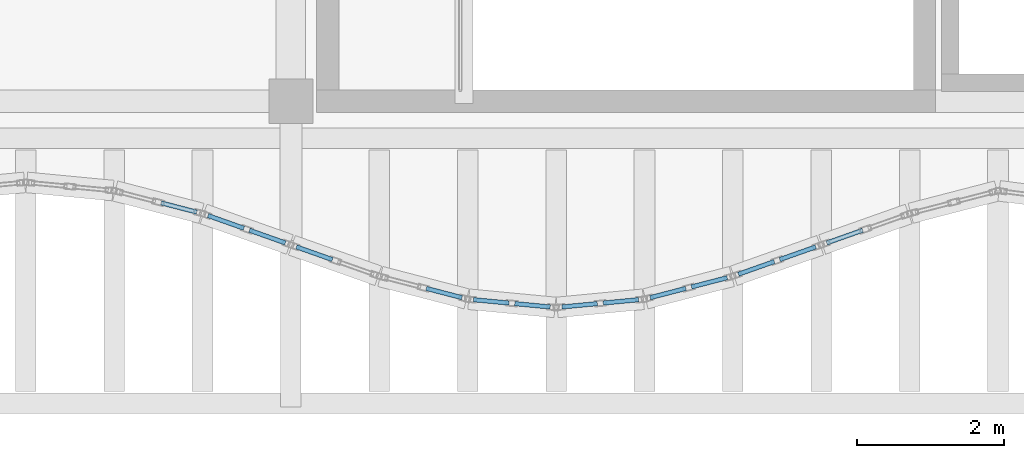
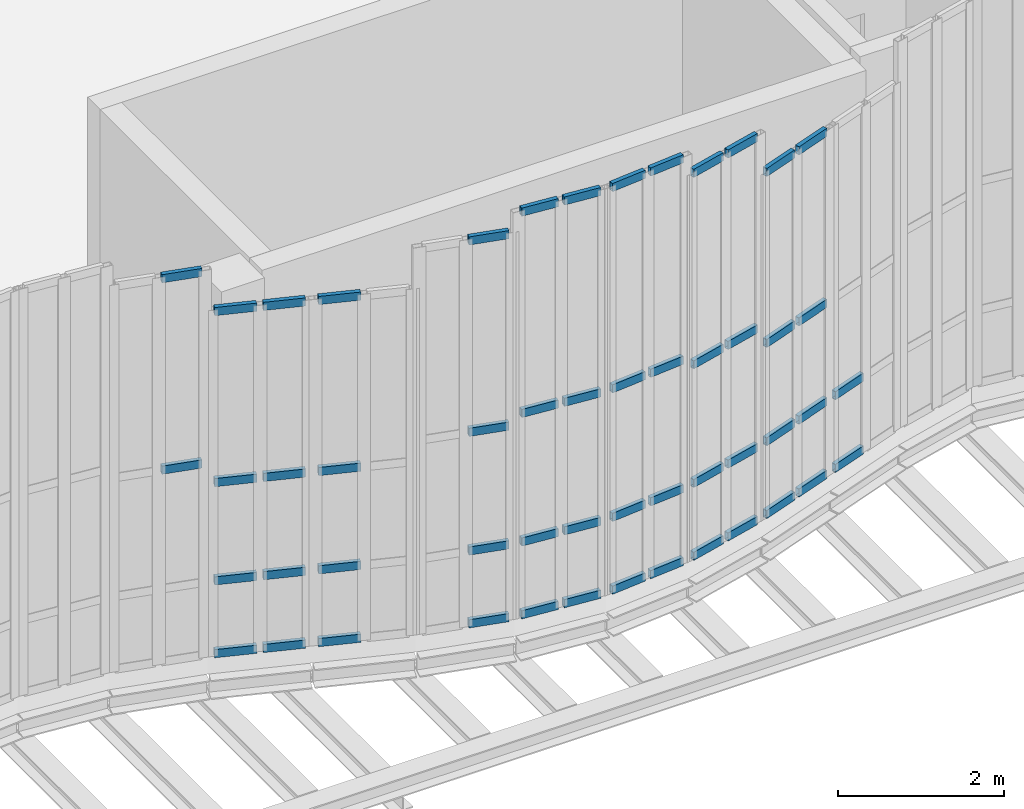
# One storey, part 36 of 76: 52 members, 9 elements without a shape of their own.
"""IFC4 building model written with IfcOpenShell, lengths in metres."""

from ifc_helpers import new_model, si_unit, direction, frame, origin, origin_2d, place, context, subcontext, project, spatial, hollow_rectangle, extrude, material, layer, layer_set, material_profile, profile_set, type_object, element, aggregate, save


model = new_model("IFC4")

# Units and contexts
model_context = context("Model", 3, precision=1e-05, world=origin(), true_north=direction((0.0, 1.0)))
body_context = subcontext(model_context, "Body", "Model", "MODEL_VIEW")
ifc_project = project(units=[si_unit("LENGTHUNIT", "METRE"), si_unit("AREAUNIT", "SQUARE_METRE"), si_unit("VOLUMEUNIT", "CUBIC_METRE"), si_unit("PLANEANGLEUNIT", "RADIAN"), si_unit("MASSUNIT", "GRAM", prefix="KILO"), si_unit("THERMODYNAMICTEMPERATUREUNIT", "KELVIN"), si_unit("POWERUNIT", "WATT")], contexts=[model_context])

# Site, building, storey
site_placement = place(None, origin())
site = spatial("IfcSite", under=ifc_project, at=site_placement, CompositionType="ELEMENT")
building_placement = place(site_placement, origin())
building = spatial("IfcBuilding", under=site, at=building_placement, Name="Kaldorven Railside Theatre", CompositionType="ELEMENT")
storey_placement = place(building_placement, frame((0.0, 0.0, 14.39990234375)))
storey = spatial("IfcBuildingStorey", under=building, at=storey_placement, Name="L03", CompositionType="ELEMENT", Elevation=14.39990234375)

# Curtain wall, members
ifc_material_1 = material(Name="Low-E laminated solar-control glass", Category="glass")
ifc_layer_1 = layer(ifc_material_1, 0.159912109375, Name="Low-E laminated solar-control glass")
ifc_layer_set_1 = layer_set([ifc_layer_1], Name="Low-E laminated solar-control glass")
curtain_wall_type_1 = type_object("IfcCurtainWallType", Name="CWT-09", PredefinedType="USERDEFINED", material=ifc_layer_set_1)
curtain_wall_1_placement = place(storey_placement, origin())
curtain_wall_1 = element("IfcCurtainWall", 1, at=curtain_wall_1_placement, inside=storey, type_object=curtain_wall_type_1, Name="Sinusoidal Fluted Curtain Wall CW-L03-S17", ObjectType="FLUTED GLAZING", PredefinedType="USERDEFINED")
ifc_material_2 = material(Name="Anodised bronze aluminium", Category="aluminium")
ifc_material_profile = material_profile(ifc_material_2, hollow_rectangle(XDim=0.06005859375, YDim=0.1201171875, WallThickness=0.0048828125, at=origin_2d()), Name="RHS 120x60x5")
ifc_profile_set = profile_set([ifc_material_profile], Name="Anodised bronze aluminium")
member_type = type_object("IfcMemberType", Name="CWT-120", PredefinedType="USERDEFINED", material=ifc_profile_set)
member_1_placement = place(storey_placement, frame((56.638671875, 17.820556640625, 2.84521484375), z_axis=(0.967979318949, -0.251029954561, 0.0), x_axis=(0.251029954561, 0.967979318949, 0.0)))
member_1 = element("IfcMember", 2, at=member_1_placement, type_object=member_type, Name="CW-L03-S17 transom 2.3", ObjectType="TRANSOM", PredefinedType="USERDEFINED", context=body_context, shape_type="SweptSolid", body=[
    extrude(hollow_rectangle(XDim=0.06005859375, YDim=0.1201171875, WallThickness=0.0048828125, at=origin_2d()), origin(), (0.0, 0.0, 1.0), 0.5),
])
member_2_placement = place(storey_placement, frame((56.638671875, 17.820556640625, 5.66015625), z_axis=(0.967979318949, -0.251029954561, 0.0), x_axis=(0.251029954561, 0.967979318949, 0.0)))
member_2 = element("IfcMember", 3, at=member_2_placement, type_object=member_type, Name="CW-L03-S17 transom 2.4", ObjectType="TRANSOM", PredefinedType="USERDEFINED", context=body_context, shape_type="SweptSolid", body=[
    extrude(hollow_rectangle(XDim=0.06005859375, YDim=0.1201171875, WallThickness=0.0048828125, at=origin_2d()), origin(), (0.0, 0.0, 1.0), 0.5),
])
aggregate(curtain_wall_1, [member_1, member_2])

ifc_layer_2 = layer(ifc_material_1, 0.159912109375, Name="Low-E laminated solar-control glass")
ifc_layer_set_2 = layer_set([ifc_layer_2], Name="Low-E laminated solar-control glass")
curtain_wall_type_2 = type_object("IfcCurtainWallType", Name="CWT-08", PredefinedType="USERDEFINED", material=ifc_layer_set_2)
curtain_wall_2_placement = place(storey_placement, origin())
curtain_wall_2 = element("IfcCurtainWall", 4, at=curtain_wall_2_placement, inside=storey, type_object=curtain_wall_type_2, Name="Sinusoidal Fluted Curtain Wall CW-L03-S18", ObjectType="FLUTED GLAZING", PredefinedType="USERDEFINED")
member_3_placement = place(storey_placement, frame((57.275390625, 17.648193359375, 0.030029296875), z_axis=(0.942658214948, -0.333759628763, 0.0), x_axis=(0.333759628763, 0.942658214948, 0.0)))
member_3 = element("IfcMember", 5, at=member_3_placement, type_object=member_type, Name="CW-L03-S18 transom 1.1", ObjectType="TRANSOM", PredefinedType="USERDEFINED", context=body_context, shape_type="SweptSolid", body=[
    extrude(hollow_rectangle(XDim=0.06005859375, YDim=0.1201171875, WallThickness=0.0048828125, at=origin_2d()), origin(), (0.0, 0.0, 1.0), 0.516357421875),
])
member_4_placement = place(storey_placement, frame((57.275390625, 17.648193359375, 1.10009765625), z_axis=(0.942658214948, -0.333759628763, 0.0), x_axis=(0.333759628763, 0.942658214948, 0.0)))
member_4 = element("IfcMember", 6, at=member_4_placement, type_object=member_type, Name="CW-L03-S18 transom 1.2", ObjectType="TRANSOM", PredefinedType="USERDEFINED", context=body_context, shape_type="SweptSolid", body=[
    extrude(hollow_rectangle(XDim=0.06005859375, YDim=0.1201171875, WallThickness=0.0048828125, at=origin_2d()), origin(), (0.0, 0.0, 1.0), 0.516357421875),
])
member_5_placement = place(storey_placement, frame((57.275390625, 17.648193359375, 2.545166015625), z_axis=(0.942658214948, -0.333759628763, 0.0), x_axis=(0.333759628763, 0.942658214948, 0.0)))
member_5 = element("IfcMember", 7, at=member_5_placement, type_object=member_type, Name="CW-L03-S18 transom 1.3", ObjectType="TRANSOM", PredefinedType="USERDEFINED", context=body_context, shape_type="SweptSolid", body=[
    extrude(hollow_rectangle(XDim=0.06005859375, YDim=0.1201171875, WallThickness=0.0048828125, at=origin_2d()), origin(), (0.0, 0.0, 1.0), 0.516357421875),
])
member_6_placement = place(storey_placement, frame((57.275390625, 17.648193359375, 5.06005859375), z_axis=(0.942658214948, -0.333759628763, 0.0), x_axis=(0.333759628763, 0.942658214948, 0.0)))
member_6 = element("IfcMember", 8, at=member_6_placement, type_object=member_type, Name="CW-L03-S18 transom 1.4", ObjectType="TRANSOM", PredefinedType="USERDEFINED", context=body_context, shape_type="SweptSolid", body=[
    extrude(hollow_rectangle(XDim=0.06005859375, YDim=0.1201171875, WallThickness=0.0048828125, at=origin_2d()), origin(), (0.0, 0.0, 1.0), 0.516357421875),
])
member_7_placement = place(storey_placement, frame((57.837646484375, 17.44921875, 0.030029296875), z_axis=(0.94256215944, -0.334030800363, 0.0), x_axis=(0.334030800363, 0.94256215944, 0.0)))
member_7 = element("IfcMember", 9, at=member_7_placement, type_object=member_type, Name="CW-L03-S18 transom 2.1", ObjectType="TRANSOM", PredefinedType="USERDEFINED", context=body_context, shape_type="SweptSolid", body=[
    extrude(hollow_rectangle(XDim=0.06005859375, YDim=0.1201171875, WallThickness=0.0048828125, at=origin_2d()), origin(), (0.0, 0.0, 1.0), 0.516845703125),
])
member_8_placement = place(storey_placement, frame((57.837646484375, 17.44921875, 1.10009765625), z_axis=(0.94256215944, -0.334030800363, 0.0), x_axis=(0.334030800363, 0.94256215944, 0.0)))
member_8 = element("IfcMember", 10, at=member_8_placement, type_object=member_type, Name="CW-L03-S18 transom 2.2", ObjectType="TRANSOM", PredefinedType="USERDEFINED", context=body_context, shape_type="SweptSolid", body=[
    extrude(hollow_rectangle(XDim=0.06005859375, YDim=0.1201171875, WallThickness=0.0048828125, at=origin_2d()), origin(), (0.0, 0.0, 1.0), 0.516845703125),
])
member_9_placement = place(storey_placement, frame((57.837646484375, 17.44921875, 2.545166015625), z_axis=(0.94256215944, -0.334030800363, 0.0), x_axis=(0.334030800363, 0.94256215944, 0.0)))
member_9 = element("IfcMember", 11, at=member_9_placement, type_object=member_type, Name="CW-L03-S18 transom 2.3", ObjectType="TRANSOM", PredefinedType="USERDEFINED", context=body_context, shape_type="SweptSolid", body=[
    extrude(hollow_rectangle(XDim=0.06005859375, YDim=0.1201171875, WallThickness=0.0048828125, at=origin_2d()), origin(), (0.0, 0.0, 1.0), 0.516845703125),
])
member_10_placement = place(storey_placement, frame((57.837646484375, 17.44921875, 5.06005859375), z_axis=(0.94256215944, -0.334030800363, 0.0), x_axis=(0.334030800363, 0.94256215944, 0.0)))
member_10 = element("IfcMember", 12, at=member_10_placement, type_object=member_type, Name="CW-L03-S18 transom 2.4", ObjectType="TRANSOM", PredefinedType="USERDEFINED", context=body_context, shape_type="SweptSolid", body=[
    extrude(hollow_rectangle(XDim=0.06005859375, YDim=0.1201171875, WallThickness=0.0048828125, at=origin_2d()), origin(), (0.0, 0.0, 1.0), 0.516845703125),
])
aggregate(curtain_wall_2, [member_3, member_4, member_5, member_6, member_7, member_8, member_9, member_10])

curtain_wall_3_placement = place(storey_placement, origin())
curtain_wall_3 = element("IfcCurtainWall", 13, at=curtain_wall_3_placement, inside=storey, type_object=curtain_wall_type_2, Name="Sinusoidal Fluted Curtain Wall CW-L03-S19", ObjectType="FLUTED GLAZING", PredefinedType="USERDEFINED")
member_11_placement = place(storey_placement, frame((58.475341796875, 17.223388671875, 0.030029296875), z_axis=(0.94256215944, -0.334030800363, 0.0), x_axis=(0.334030800363, 0.94256215944, 0.0)))
member_11 = element("IfcMember", 14, at=member_11_placement, type_object=member_type, Name="CW-L03-S19 transom 1.1", ObjectType="TRANSOM", PredefinedType="USERDEFINED", context=body_context, shape_type="SweptSolid", body=[
    extrude(hollow_rectangle(XDim=0.06005859375, YDim=0.1201171875, WallThickness=0.0048828125, at=origin_2d()), origin(), (0.0, 0.0, 1.0), 0.516845703125),
])
member_12_placement = place(storey_placement, frame((58.475341796875, 17.223388671875, 1.10009765625), z_axis=(0.94256215944, -0.334030800363, 0.0), x_axis=(0.334030800363, 0.94256215944, 0.0)))
member_12 = element("IfcMember", 15, at=member_12_placement, type_object=member_type, Name="CW-L03-S19 transom 1.2", ObjectType="TRANSOM", PredefinedType="USERDEFINED", context=body_context, shape_type="SweptSolid", body=[
    extrude(hollow_rectangle(XDim=0.06005859375, YDim=0.1201171875, WallThickness=0.0048828125, at=origin_2d()), origin(), (0.0, 0.0, 1.0), 0.516845703125),
])
member_13_placement = place(storey_placement, frame((58.475341796875, 17.223388671875, 2.545166015625), z_axis=(0.94256215944, -0.334030800363, 0.0), x_axis=(0.334030800363, 0.94256215944, 0.0)))
member_13 = element("IfcMember", 16, at=member_13_placement, type_object=member_type, Name="CW-L03-S19 transom 1.3", ObjectType="TRANSOM", PredefinedType="USERDEFINED", context=body_context, shape_type="SweptSolid", body=[
    extrude(hollow_rectangle(XDim=0.06005859375, YDim=0.1201171875, WallThickness=0.0048828125, at=origin_2d()), origin(), (0.0, 0.0, 1.0), 0.516845703125),
])
member_14_placement = place(storey_placement, frame((58.475341796875, 17.223388671875, 5.06005859375), z_axis=(0.94256215944, -0.334030800363, 0.0), x_axis=(0.334030800363, 0.94256215944, 0.0)))
member_14 = element("IfcMember", 17, at=member_14_placement, type_object=member_type, Name="CW-L03-S19 transom 1.4", ObjectType="TRANSOM", PredefinedType="USERDEFINED", context=body_context, shape_type="SweptSolid", body=[
    extrude(hollow_rectangle(XDim=0.06005859375, YDim=0.1201171875, WallThickness=0.0048828125, at=origin_2d()), origin(), (0.0, 0.0, 1.0), 0.516845703125),
])
aggregate(curtain_wall_3, [member_11, member_12, member_13, member_14])

curtain_wall_4_placement = place(storey_placement, origin())
curtain_wall_4 = element("IfcCurtainWall", 18, at=curtain_wall_4_placement, inside=storey, type_object=curtain_wall_type_1, Name="Sinusoidal Fluted Curtain Wall CW-L03-S20", ObjectType="FLUTED GLAZING", PredefinedType="USERDEFINED")
member_15_placement = place(storey_placement, frame((60.23876953125, 16.659423828125, 0.030029296875), z_axis=(0.967979318949, -0.251029954561, 0.0), x_axis=(0.251029954561, 0.967979318949, 0.0)))
member_15 = element("IfcMember", 19, at=member_15_placement, type_object=member_type, Name="CW-L03-S20 transom 2.1", ObjectType="TRANSOM", PredefinedType="USERDEFINED", context=body_context, shape_type="SweptSolid", body=[
    extrude(hollow_rectangle(XDim=0.06005859375, YDim=0.1201171875, WallThickness=0.0048828125, at=origin_2d()), origin(), (0.0, 0.0, 1.0), 0.5),
])
member_16_placement = place(storey_placement, frame((60.23876953125, 16.659423828125, 1.10009765625), z_axis=(0.967979318949, -0.251029954561, 0.0), x_axis=(0.251029954561, 0.967979318949, 0.0)))
member_16 = element("IfcMember", 20, at=member_16_placement, type_object=member_type, Name="CW-L03-S20 transom 2.2", ObjectType="TRANSOM", PredefinedType="USERDEFINED", context=body_context, shape_type="SweptSolid", body=[
    extrude(hollow_rectangle(XDim=0.06005859375, YDim=0.1201171875, WallThickness=0.0048828125, at=origin_2d()), origin(), (0.0, 0.0, 1.0), 0.5),
])
member_17_placement = place(storey_placement, frame((60.23876953125, 16.659423828125, 2.84521484375), z_axis=(0.967979318949, -0.251029954561, 0.0), x_axis=(0.251029954561, 0.967979318949, 0.0)))
member_17 = element("IfcMember", 21, at=member_17_placement, type_object=member_type, Name="CW-L03-S20 transom 2.3", ObjectType="TRANSOM", PredefinedType="USERDEFINED", context=body_context, shape_type="SweptSolid", body=[
    extrude(hollow_rectangle(XDim=0.06005859375, YDim=0.1201171875, WallThickness=0.0048828125, at=origin_2d()), origin(), (0.0, 0.0, 1.0), 0.5),
])
member_18_placement = place(storey_placement, frame((60.23876953125, 16.659423828125, 5.66015625), z_axis=(0.967979318949, -0.251029954561, 0.0), x_axis=(0.251029954561, 0.967979318949, 0.0)))
member_18 = element("IfcMember", 22, at=member_18_placement, type_object=member_type, Name="CW-L03-S20 transom 2.4", ObjectType="TRANSOM", PredefinedType="USERDEFINED", context=body_context, shape_type="SweptSolid", body=[
    extrude(hollow_rectangle(XDim=0.06005859375, YDim=0.1201171875, WallThickness=0.0048828125, at=origin_2d()), origin(), (0.0, 0.0, 1.0), 0.5),
])
aggregate(curtain_wall_4, [member_15, member_16, member_17, member_18])

ifc_layer_3 = layer(ifc_material_1, 0.159912109375, Name="Low-E laminated solar-control glass")
ifc_layer_set_3 = layer_set([ifc_layer_3], Name="Low-E laminated solar-control glass")
curtain_wall_type_3 = type_object("IfcCurtainWallType", Name="CWT-10", PredefinedType="USERDEFINED", material=ifc_layer_set_3)
curtain_wall_5_placement = place(storey_placement, origin())
curtain_wall_5 = element("IfcCurtainWall", 23, at=curtain_wall_5_placement, inside=storey, type_object=curtain_wall_type_3, Name="Sinusoidal Fluted Curtain Wall CW-L03-S21", ObjectType="FLUTED GLAZING", PredefinedType="USERDEFINED")
member_19_placement = place(storey_placement, frame((60.879638671875, 16.50634765625, 0.030029296875), z_axis=(0.995515910823, -0.094594245591, 0.0), x_axis=(0.094594245591, 0.995515910823, 0.0)))
member_19 = element("IfcMember", 24, at=member_19_placement, type_object=member_type, Name="CW-L03-S21 transom 1.1", ObjectType="TRANSOM", PredefinedType="USERDEFINED", context=body_context, shape_type="SweptSolid", body=[
    extrude(hollow_rectangle(XDim=0.06005859375, YDim=0.1201171875, WallThickness=0.0048828125, at=origin_2d()), origin(), (0.0, 0.0, 1.0), 0.482666015625),
])
member_20_placement = place(storey_placement, frame((60.879638671875, 16.50634765625, 1.10009765625), z_axis=(0.995515910823, -0.094594245591, 0.0), x_axis=(0.094594245591, 0.995515910823, 0.0)))
member_20 = element("IfcMember", 25, at=member_20_placement, type_object=member_type, Name="CW-L03-S21 transom 1.2", ObjectType="TRANSOM", PredefinedType="USERDEFINED", context=body_context, shape_type="SweptSolid", body=[
    extrude(hollow_rectangle(XDim=0.06005859375, YDim=0.1201171875, WallThickness=0.0048828125, at=origin_2d()), origin(), (0.0, 0.0, 1.0), 0.482666015625),
])
member_21_placement = place(storey_placement, frame((60.879638671875, 16.50634765625, 2.989990234375), z_axis=(0.995515910823, -0.094594245591, 0.0), x_axis=(0.094594245591, 0.995515910823, 0.0)))
member_21 = element("IfcMember", 26, at=member_21_placement, type_object=member_type, Name="CW-L03-S21 transom 1.3", ObjectType="TRANSOM", PredefinedType="USERDEFINED", context=body_context, shape_type="SweptSolid", body=[
    extrude(hollow_rectangle(XDim=0.06005859375, YDim=0.1201171875, WallThickness=0.0048828125, at=origin_2d()), origin(), (0.0, 0.0, 1.0), 0.482666015625),
])
member_22_placement = place(storey_placement, frame((60.879638671875, 16.50634765625, 5.9501953125), z_axis=(0.995515910823, -0.094594245591, 0.0), x_axis=(0.094594245591, 0.995515910823, 0.0)))
member_22 = element("IfcMember", 27, at=member_22_placement, type_object=member_type, Name="CW-L03-S21 transom 1.4", ObjectType="TRANSOM", PredefinedType="USERDEFINED", context=body_context, shape_type="SweptSolid", body=[
    extrude(hollow_rectangle(XDim=0.06005859375, YDim=0.1201171875, WallThickness=0.0048828125, at=origin_2d()), origin(), (0.0, 0.0, 1.0), 0.482666015625),
])
member_23_placement = place(storey_placement, frame((61.43994140625, 16.453125, 0.030029296875), z_axis=(0.995515910823, -0.094594245591, 0.0), x_axis=(0.094594245591, 0.995515910823, 0.0)))
member_23 = element("IfcMember", 28, at=member_23_placement, type_object=member_type, Name="CW-L03-S21 transom 2.1", ObjectType="TRANSOM", PredefinedType="USERDEFINED", context=body_context, shape_type="SweptSolid", body=[
    extrude(hollow_rectangle(XDim=0.06005859375, YDim=0.1201171875, WallThickness=0.0048828125, at=origin_2d()), origin(), (0.0, 0.0, 1.0), 0.482666015625),
])
member_24_placement = place(storey_placement, frame((61.43994140625, 16.453125, 1.10009765625), z_axis=(0.995515910823, -0.094594245591, 0.0), x_axis=(0.094594245591, 0.995515910823, 0.0)))
member_24 = element("IfcMember", 29, at=member_24_placement, type_object=member_type, Name="CW-L03-S21 transom 2.2", ObjectType="TRANSOM", PredefinedType="USERDEFINED", context=body_context, shape_type="SweptSolid", body=[
    extrude(hollow_rectangle(XDim=0.06005859375, YDim=0.1201171875, WallThickness=0.0048828125, at=origin_2d()), origin(), (0.0, 0.0, 1.0), 0.482666015625),
])
member_25_placement = place(storey_placement, frame((61.43994140625, 16.453125, 2.989990234375), z_axis=(0.995515910823, -0.094594245591, 0.0), x_axis=(0.094594245591, 0.995515910823, 0.0)))
member_25 = element("IfcMember", 30, at=member_25_placement, type_object=member_type, Name="CW-L03-S21 transom 2.3", ObjectType="TRANSOM", PredefinedType="USERDEFINED", context=body_context, shape_type="SweptSolid", body=[
    extrude(hollow_rectangle(XDim=0.06005859375, YDim=0.1201171875, WallThickness=0.0048828125, at=origin_2d()), origin(), (0.0, 0.0, 1.0), 0.482666015625),
])
member_26_placement = place(storey_placement, frame((61.43994140625, 16.453125, 5.9501953125), z_axis=(0.995515910823, -0.094594245591, 0.0), x_axis=(0.094594245591, 0.995515910823, 0.0)))
member_26 = element("IfcMember", 31, at=member_26_placement, type_object=member_type, Name="CW-L03-S21 transom 2.4", ObjectType="TRANSOM", PredefinedType="USERDEFINED", context=body_context, shape_type="SweptSolid", body=[
    extrude(hollow_rectangle(XDim=0.06005859375, YDim=0.1201171875, WallThickness=0.0048828125, at=origin_2d()), origin(), (0.0, 0.0, 1.0), 0.482666015625),
])
aggregate(curtain_wall_5, [member_19, member_20, member_21, member_22, member_23, member_24, member_25, member_26])

curtain_wall_6_placement = place(storey_placement, origin())
curtain_wall_6 = element("IfcCurtainWall", 32, at=curtain_wall_6_placement, inside=storey, type_object=curtain_wall_type_3, Name="Sinusoidal Fluted Curtain Wall CW-L03-S22", ObjectType="FLUTED GLAZING", PredefinedType="USERDEFINED")
member_27_placement = place(storey_placement, frame((62.07958984375, 16.407470703125, 0.030029296875), z_axis=(0.995515910823, 0.094594245591, 0.0), x_axis=(-0.094594245591, 0.995515910823, 0.0)))
member_27 = element("IfcMember", 33, at=member_27_placement, type_object=member_type, Name="CW-L03-S22 transom 1.1", ObjectType="TRANSOM", PredefinedType="USERDEFINED", context=body_context, shape_type="SweptSolid", body=[
    extrude(hollow_rectangle(XDim=0.06005859375, YDim=0.1201171875, WallThickness=0.0048828125, at=origin_2d()), origin(), (0.0, 0.0, 1.0), 0.482666015625),
])
member_28_placement = place(storey_placement, frame((62.07958984375, 16.407470703125, 1.10009765625), z_axis=(0.995515910823, 0.094594245591, 0.0), x_axis=(-0.094594245591, 0.995515910823, 0.0)))
member_28 = element("IfcMember", 34, at=member_28_placement, type_object=member_type, Name="CW-L03-S22 transom 1.2", ObjectType="TRANSOM", PredefinedType="USERDEFINED", context=body_context, shape_type="SweptSolid", body=[
    extrude(hollow_rectangle(XDim=0.06005859375, YDim=0.1201171875, WallThickness=0.0048828125, at=origin_2d()), origin(), (0.0, 0.0, 1.0), 0.482666015625),
])
member_29_placement = place(storey_placement, frame((62.07958984375, 16.407470703125, 2.989990234375), z_axis=(0.995515910823, 0.094594245591, 0.0), x_axis=(-0.094594245591, 0.995515910823, 0.0)))
member_29 = element("IfcMember", 35, at=member_29_placement, type_object=member_type, Name="CW-L03-S22 transom 1.3", ObjectType="TRANSOM", PredefinedType="USERDEFINED", context=body_context, shape_type="SweptSolid", body=[
    extrude(hollow_rectangle(XDim=0.06005859375, YDim=0.1201171875, WallThickness=0.0048828125, at=origin_2d()), origin(), (0.0, 0.0, 1.0), 0.482666015625),
])
member_30_placement = place(storey_placement, frame((62.07958984375, 16.407470703125, 5.9501953125), z_axis=(0.995515910823, 0.094594245591, 0.0), x_axis=(-0.094594245591, 0.995515910823, 0.0)))
member_30 = element("IfcMember", 36, at=member_30_placement, type_object=member_type, Name="CW-L03-S22 transom 1.4", ObjectType="TRANSOM", PredefinedType="USERDEFINED", context=body_context, shape_type="SweptSolid", body=[
    extrude(hollow_rectangle(XDim=0.06005859375, YDim=0.1201171875, WallThickness=0.0048828125, at=origin_2d()), origin(), (0.0, 0.0, 1.0), 0.482666015625),
])
member_31_placement = place(storey_placement, frame((62.639892578125, 16.460693359375, 0.030029296875), z_axis=(0.995515910823, 0.094594245591, 0.0), x_axis=(-0.094594245591, 0.995515910823, 0.0)))
member_31 = element("IfcMember", 37, at=member_31_placement, type_object=member_type, Name="CW-L03-S22 transom 2.1", ObjectType="TRANSOM", PredefinedType="USERDEFINED", context=body_context, shape_type="SweptSolid", body=[
    extrude(hollow_rectangle(XDim=0.06005859375, YDim=0.1201171875, WallThickness=0.0048828125, at=origin_2d()), origin(), (0.0, 0.0, 1.0), 0.482666015625),
])
member_32_placement = place(storey_placement, frame((62.639892578125, 16.460693359375, 1.10009765625), z_axis=(0.995515910823, 0.094594245591, 0.0), x_axis=(-0.094594245591, 0.995515910823, 0.0)))
member_32 = element("IfcMember", 38, at=member_32_placement, type_object=member_type, Name="CW-L03-S22 transom 2.2", ObjectType="TRANSOM", PredefinedType="USERDEFINED", context=body_context, shape_type="SweptSolid", body=[
    extrude(hollow_rectangle(XDim=0.06005859375, YDim=0.1201171875, WallThickness=0.0048828125, at=origin_2d()), origin(), (0.0, 0.0, 1.0), 0.482666015625),
])
member_33_placement = place(storey_placement, frame((62.639892578125, 16.460693359375, 2.989990234375), z_axis=(0.995515910823, 0.094594245591, 0.0), x_axis=(-0.094594245591, 0.995515910823, 0.0)))
member_33 = element("IfcMember", 39, at=member_33_placement, type_object=member_type, Name="CW-L03-S22 transom 2.3", ObjectType="TRANSOM", PredefinedType="USERDEFINED", context=body_context, shape_type="SweptSolid", body=[
    extrude(hollow_rectangle(XDim=0.06005859375, YDim=0.1201171875, WallThickness=0.0048828125, at=origin_2d()), origin(), (0.0, 0.0, 1.0), 0.482666015625),
])
member_34_placement = place(storey_placement, frame((62.639892578125, 16.460693359375, 5.9501953125), z_axis=(0.995515910823, 0.094594245591, 0.0), x_axis=(-0.094594245591, 0.995515910823, 0.0)))
member_34 = element("IfcMember", 40, at=member_34_placement, type_object=member_type, Name="CW-L03-S22 transom 2.4", ObjectType="TRANSOM", PredefinedType="USERDEFINED", context=body_context, shape_type="SweptSolid", body=[
    extrude(hollow_rectangle(XDim=0.06005859375, YDim=0.1201171875, WallThickness=0.0048828125, at=origin_2d()), origin(), (0.0, 0.0, 1.0), 0.482666015625),
])
aggregate(curtain_wall_6, [member_27, member_28, member_29, member_30, member_31, member_32, member_33, member_34])

curtain_wall_7_placement = place(storey_placement, origin())
curtain_wall_7 = element("IfcCurtainWall", 41, at=curtain_wall_7_placement, inside=storey, type_object=curtain_wall_type_1, Name="Sinusoidal Fluted Curtain Wall CW-L03-S23", ObjectType="FLUTED GLAZING", PredefinedType="USERDEFINED")
member_35_placement = place(storey_placement, frame((63.27734375, 16.533935546875, 0.030029296875), z_axis=(0.967979318949, 0.251029954561, 0.0), x_axis=(-0.251029954561, 0.967979318949, 0.0)))
member_35 = element("IfcMember", 42, at=member_35_placement, type_object=member_type, Name="CW-L03-S23 transom 1.1", ObjectType="TRANSOM", PredefinedType="USERDEFINED", context=body_context, shape_type="SweptSolid", body=[
    extrude(hollow_rectangle(XDim=0.06005859375, YDim=0.1201171875, WallThickness=0.0048828125, at=origin_2d()), origin(), (0.0, 0.0, 1.0), 0.5),
])
member_36_placement = place(storey_placement, frame((63.27734375, 16.533935546875, 1.10009765625), z_axis=(0.967979318949, 0.251029954561, 0.0), x_axis=(-0.251029954561, 0.967979318949, 0.0)))
member_36 = element("IfcMember", 43, at=member_36_placement, type_object=member_type, Name="CW-L03-S23 transom 1.2", ObjectType="TRANSOM", PredefinedType="USERDEFINED", context=body_context, shape_type="SweptSolid", body=[
    extrude(hollow_rectangle(XDim=0.06005859375, YDim=0.1201171875, WallThickness=0.0048828125, at=origin_2d()), origin(), (0.0, 0.0, 1.0), 0.5),
])
member_37_placement = place(storey_placement, frame((63.27734375, 16.533935546875, 2.84521484375), z_axis=(0.967979318949, 0.251029954561, 0.0), x_axis=(-0.251029954561, 0.967979318949, 0.0)))
member_37 = element("IfcMember", 44, at=member_37_placement, type_object=member_type, Name="CW-L03-S23 transom 1.3", ObjectType="TRANSOM", PredefinedType="USERDEFINED", context=body_context, shape_type="SweptSolid", body=[
    extrude(hollow_rectangle(XDim=0.06005859375, YDim=0.1201171875, WallThickness=0.0048828125, at=origin_2d()), origin(), (0.0, 0.0, 1.0), 0.5),
])
member_38_placement = place(storey_placement, frame((63.27734375, 16.533935546875, 5.66015625), z_axis=(0.967979318949, 0.251029954561, 0.0), x_axis=(-0.251029954561, 0.967979318949, 0.0)))
member_38 = element("IfcMember", 45, at=member_38_placement, type_object=member_type, Name="CW-L03-S23 transom 1.4", ObjectType="TRANSOM", PredefinedType="USERDEFINED", context=body_context, shape_type="SweptSolid", body=[
    extrude(hollow_rectangle(XDim=0.06005859375, YDim=0.1201171875, WallThickness=0.0048828125, at=origin_2d()), origin(), (0.0, 0.0, 1.0), 0.5),
])
member_39_placement = place(storey_placement, frame((63.838623046875, 16.679443359375, 0.030029296875), z_axis=(0.967979318949, 0.251029954561, 0.0), x_axis=(-0.251029954561, 0.967979318949, 0.0)))
member_39 = element("IfcMember", 46, at=member_39_placement, type_object=member_type, Name="CW-L03-S23 transom 2.1", ObjectType="TRANSOM", PredefinedType="USERDEFINED", context=body_context, shape_type="SweptSolid", body=[
    extrude(hollow_rectangle(XDim=0.06005859375, YDim=0.1201171875, WallThickness=0.0048828125, at=origin_2d()), origin(), (0.0, 0.0, 1.0), 0.5),
])
member_40_placement = place(storey_placement, frame((63.838623046875, 16.679443359375, 1.10009765625), z_axis=(0.967979318949, 0.251029954561, 0.0), x_axis=(-0.251029954561, 0.967979318949, 0.0)))
member_40 = element("IfcMember", 47, at=member_40_placement, type_object=member_type, Name="CW-L03-S23 transom 2.2", ObjectType="TRANSOM", PredefinedType="USERDEFINED", context=body_context, shape_type="SweptSolid", body=[
    extrude(hollow_rectangle(XDim=0.06005859375, YDim=0.1201171875, WallThickness=0.0048828125, at=origin_2d()), origin(), (0.0, 0.0, 1.0), 0.5),
])
member_41_placement = place(storey_placement, frame((63.838623046875, 16.679443359375, 2.84521484375), z_axis=(0.967979318949, 0.251029954561, 0.0), x_axis=(-0.251029954561, 0.967979318949, 0.0)))
member_41 = element("IfcMember", 48, at=member_41_placement, type_object=member_type, Name="CW-L03-S23 transom 2.3", ObjectType="TRANSOM", PredefinedType="USERDEFINED", context=body_context, shape_type="SweptSolid", body=[
    extrude(hollow_rectangle(XDim=0.06005859375, YDim=0.1201171875, WallThickness=0.0048828125, at=origin_2d()), origin(), (0.0, 0.0, 1.0), 0.5),
])
member_42_placement = place(storey_placement, frame((63.838623046875, 16.679443359375, 5.66015625), z_axis=(0.967979318949, 0.251029954561, 0.0), x_axis=(-0.251029954561, 0.967979318949, 0.0)))
member_42 = element("IfcMember", 49, at=member_42_placement, type_object=member_type, Name="CW-L03-S23 transom 2.4", ObjectType="TRANSOM", PredefinedType="USERDEFINED", context=body_context, shape_type="SweptSolid", body=[
    extrude(hollow_rectangle(XDim=0.06005859375, YDim=0.1201171875, WallThickness=0.0048828125, at=origin_2d()), origin(), (0.0, 0.0, 1.0), 0.5),
])
aggregate(curtain_wall_7, [member_35, member_36, member_37, member_38, member_39, member_40, member_41, member_42])

curtain_wall_8_placement = place(storey_placement, origin())
curtain_wall_8 = element("IfcCurtainWall", 50, at=curtain_wall_8_placement, inside=storey, type_object=curtain_wall_type_2, Name="Sinusoidal Fluted Curtain Wall CW-L03-S24", ObjectType="FLUTED GLAZING", PredefinedType="USERDEFINED")
member_43_placement = place(storey_placement, frame((64.475341796875, 16.851806640625, 0.030029296875), z_axis=(0.942710841688, 0.333610954502, 0.0), x_axis=(-0.333610954502, 0.942710841688, 0.0)))
member_43 = element("IfcMember", 51, at=member_43_placement, type_object=member_type, Name="CW-L03-S24 transom 1.1", ObjectType="TRANSOM", PredefinedType="USERDEFINED", context=body_context, shape_type="SweptSolid", body=[
    extrude(hollow_rectangle(XDim=0.06005859375, YDim=0.1201171875, WallThickness=0.0048828125, at=origin_2d()), origin(), (0.0, 0.0, 1.0), 0.5166015625),
])
member_44_placement = place(storey_placement, frame((64.475341796875, 16.851806640625, 1.10009765625), z_axis=(0.942710841688, 0.333610954502, 0.0), x_axis=(-0.333610954502, 0.942710841688, 0.0)))
member_44 = element("IfcMember", 52, at=member_44_placement, type_object=member_type, Name="CW-L03-S24 transom 1.2", ObjectType="TRANSOM", PredefinedType="USERDEFINED", context=body_context, shape_type="SweptSolid", body=[
    extrude(hollow_rectangle(XDim=0.06005859375, YDim=0.1201171875, WallThickness=0.0048828125, at=origin_2d()), origin(), (0.0, 0.0, 1.0), 0.5166015625),
])
member_45_placement = place(storey_placement, frame((64.475341796875, 16.851806640625, 2.545166015625), z_axis=(0.942710841688, 0.333610954502, 0.0), x_axis=(-0.333610954502, 0.942710841688, 0.0)))
member_45 = element("IfcMember", 53, at=member_45_placement, type_object=member_type, Name="CW-L03-S24 transom 1.3", ObjectType="TRANSOM", PredefinedType="USERDEFINED", context=body_context, shape_type="SweptSolid", body=[
    extrude(hollow_rectangle(XDim=0.06005859375, YDim=0.1201171875, WallThickness=0.0048828125, at=origin_2d()), origin(), (0.0, 0.0, 1.0), 0.5166015625),
])
member_46_placement = place(storey_placement, frame((64.475341796875, 16.851806640625, 5.06005859375), z_axis=(0.942710841688, 0.333610954502, 0.0), x_axis=(-0.333610954502, 0.942710841688, 0.0)))
member_46 = element("IfcMember", 54, at=member_46_placement, type_object=member_type, Name="CW-L03-S24 transom 1.4", ObjectType="TRANSOM", PredefinedType="USERDEFINED", context=body_context, shape_type="SweptSolid", body=[
    extrude(hollow_rectangle(XDim=0.06005859375, YDim=0.1201171875, WallThickness=0.0048828125, at=origin_2d()), origin(), (0.0, 0.0, 1.0), 0.5166015625),
])
member_47_placement = place(storey_placement, frame((65.03759765625, 17.05078125, 0.030029296875), z_axis=(0.94256215944, 0.334030800363, 0.0), x_axis=(-0.334030800363, 0.94256215944, 0.0)))
member_47 = element("IfcMember", 55, at=member_47_placement, type_object=member_type, Name="CW-L03-S24 transom 2.1", ObjectType="TRANSOM", PredefinedType="USERDEFINED", context=body_context, shape_type="SweptSolid", body=[
    extrude(hollow_rectangle(XDim=0.06005859375, YDim=0.1201171875, WallThickness=0.0048828125, at=origin_2d()), origin(), (0.0, 0.0, 1.0), 0.516845703125),
])
member_48_placement = place(storey_placement, frame((65.03759765625, 17.05078125, 1.10009765625), z_axis=(0.94256215944, 0.334030800363, 0.0), x_axis=(-0.334030800363, 0.94256215944, 0.0)))
member_48 = element("IfcMember", 56, at=member_48_placement, type_object=member_type, Name="CW-L03-S24 transom 2.2", ObjectType="TRANSOM", PredefinedType="USERDEFINED", context=body_context, shape_type="SweptSolid", body=[
    extrude(hollow_rectangle(XDim=0.06005859375, YDim=0.1201171875, WallThickness=0.0048828125, at=origin_2d()), origin(), (0.0, 0.0, 1.0), 0.516845703125),
])
member_49_placement = place(storey_placement, frame((65.03759765625, 17.05078125, 2.545166015625), z_axis=(0.94256215944, 0.334030800363, 0.0), x_axis=(-0.334030800363, 0.94256215944, 0.0)))
member_49 = element("IfcMember", 57, at=member_49_placement, type_object=member_type, Name="CW-L03-S24 transom 2.3", ObjectType="TRANSOM", PredefinedType="USERDEFINED", context=body_context, shape_type="SweptSolid", body=[
    extrude(hollow_rectangle(XDim=0.06005859375, YDim=0.1201171875, WallThickness=0.0048828125, at=origin_2d()), origin(), (0.0, 0.0, 1.0), 0.516845703125),
])
member_50_placement = place(storey_placement, frame((65.03759765625, 17.05078125, 5.06005859375), z_axis=(0.94256215944, 0.334030800363, 0.0), x_axis=(-0.334030800363, 0.94256215944, 0.0)))
member_50 = element("IfcMember", 58, at=member_50_placement, type_object=member_type, Name="CW-L03-S24 transom 2.4", ObjectType="TRANSOM", PredefinedType="USERDEFINED", context=body_context, shape_type="SweptSolid", body=[
    extrude(hollow_rectangle(XDim=0.06005859375, YDim=0.1201171875, WallThickness=0.0048828125, at=origin_2d()), origin(), (0.0, 0.0, 1.0), 0.516845703125),
])
aggregate(curtain_wall_8, [member_43, member_44, member_45, member_46, member_47, member_48, member_49, member_50])

curtain_wall_9_placement = place(storey_placement, origin())
curtain_wall_9 = element("IfcCurtainWall", 59, at=curtain_wall_9_placement, inside=storey, type_object=curtain_wall_type_2, Name="Sinusoidal Fluted Curtain Wall CW-L03-S25", ObjectType="FLUTED GLAZING", PredefinedType="USERDEFINED")
member_51_placement = place(storey_placement, frame((65.67529296875, 17.276611328125, 0.030029296875), z_axis=(0.94256215944, 0.334030800363, 0.0), x_axis=(-0.334030800363, 0.94256215944, 0.0)))
member_51 = element("IfcMember", 60, at=member_51_placement, type_object=member_type, Name="CW-L03-S25 transom 1.1", ObjectType="TRANSOM", PredefinedType="USERDEFINED", context=body_context, shape_type="SweptSolid", body=[
    extrude(hollow_rectangle(XDim=0.06005859375, YDim=0.1201171875, WallThickness=0.0048828125, at=origin_2d()), origin(), (0.0, 0.0, 1.0), 0.516845703125),
])
member_52_placement = place(storey_placement, frame((65.67529296875, 17.276611328125, 1.10009765625), z_axis=(0.94256215944, 0.334030800363, 0.0), x_axis=(-0.334030800363, 0.94256215944, 0.0)))
member_52 = element("IfcMember", 61, at=member_52_placement, type_object=member_type, Name="CW-L03-S25 transom 1.2", ObjectType="TRANSOM", PredefinedType="USERDEFINED", context=body_context, shape_type="SweptSolid", body=[
    extrude(hollow_rectangle(XDim=0.06005859375, YDim=0.1201171875, WallThickness=0.0048828125, at=origin_2d()), origin(), (0.0, 0.0, 1.0), 0.516845703125),
])
aggregate(curtain_wall_9, [member_51, member_52])

save(model, "model.ifc")
